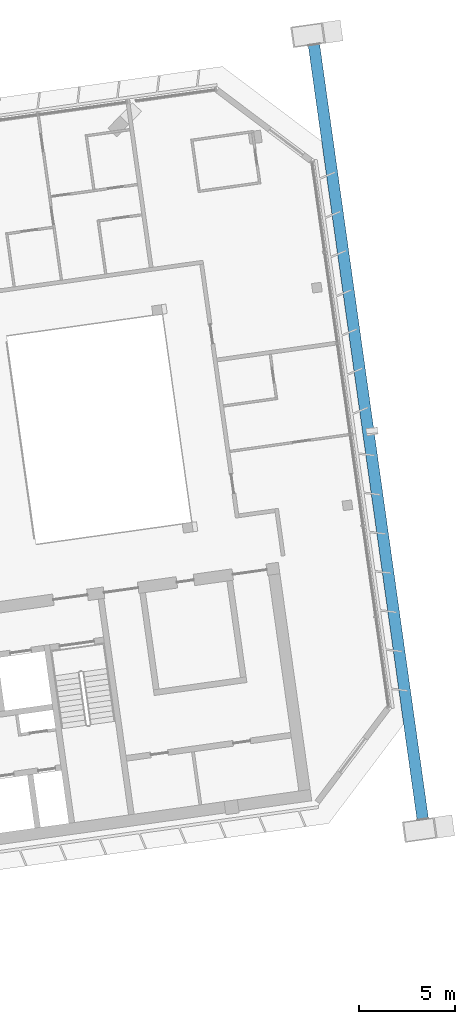
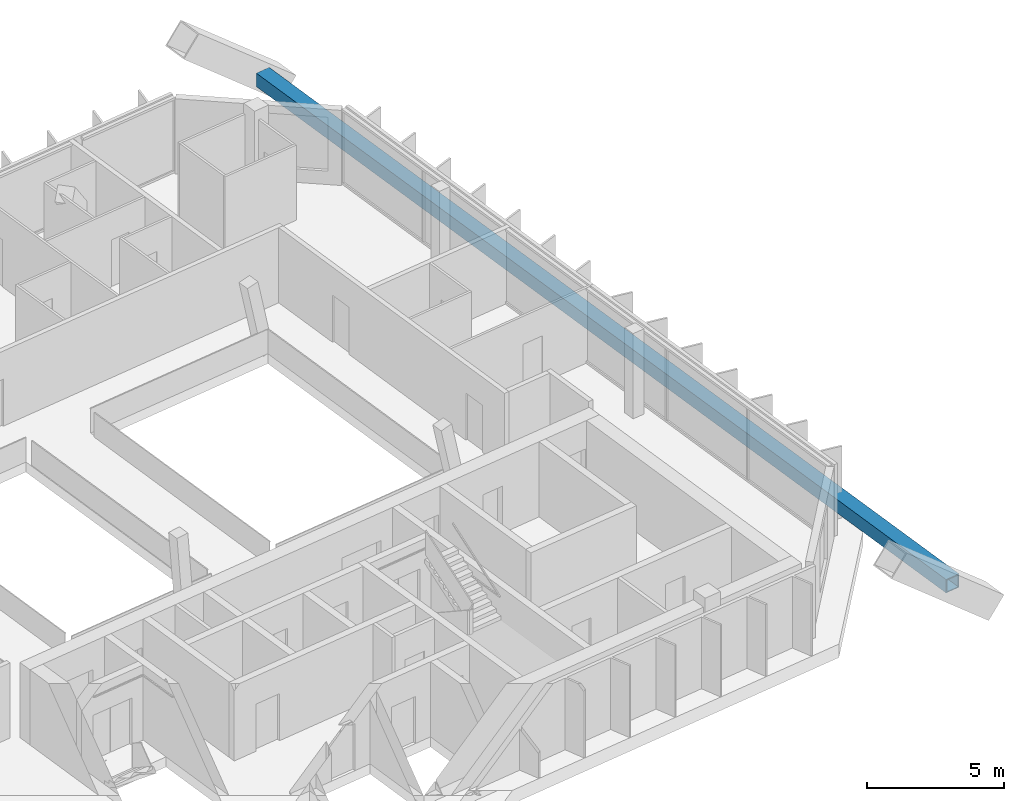
# One storey, part 11 of 25: 1 member.
"""IFC4 building model written with IfcOpenShell, lengths in metres."""

from ifc_helpers import new_model, si_unit, direction, frame, origin, origin_2d, place, context, subcontext, project, spatial, hollow_rectangle, extrude, material, material_profile, profile_set, type_object, element, save


model = new_model("IFC4")

# Units and contexts
model_context = context("Model", 3, precision=1e-05, world=origin(), true_north=direction((0.0, 1.0)))
body_context = subcontext(model_context, "Body", "Model", "MODEL_VIEW")
ifc_project = project(units=[si_unit("LENGTHUNIT", "METRE"), si_unit("AREAUNIT", "SQUARE_METRE"), si_unit("VOLUMEUNIT", "CUBIC_METRE"), si_unit("PLANEANGLEUNIT", "RADIAN"), si_unit("MASSUNIT", "GRAM", prefix="KILO")], contexts=[model_context])

# Site, building, storey
site_placement = place(None, origin())
site = spatial("IfcSite", under=ifc_project, at=site_placement, CompositionType="ELEMENT")
building_placement = place(site_placement, origin())
building = spatial("IfcBuilding", under=site, at=building_placement, Name="Mirante Cascada Hotel Towers", CompositionType="ELEMENT")
storey_placement = place(building_placement, frame((0.0, 0.0, 247.0)))
storey = spatial("IfcBuildingStorey", under=building, at=storey_placement, Name="L59", CompositionType="ELEMENT", Elevation=247.0)

# Member
ifc_material = material(Name="Steel ASTM A572 Gr 50", Category="steel")
ifc_material_profile = material_profile(ifc_material, hollow_rectangle(XDim=0.6, YDim=0.6, WallThickness=0.04, at=origin_2d()), Name="Box chord 600x600x40 ASTM A572 Gr 50")
ifc_profile_set = profile_set([ifc_material_profile], Name="Steel ASTM A572 Gr 50")
member_type = type_object("IfcMemberType", Name="Box chord 600x600x40 ASTM A572 Gr 50", PredefinedType="CHORD", material=ifc_profile_set)
member_placement = place(storey_placement, frame((69.3064, -17.147, 1.0), z_axis=(-0.1391743, 0.9902679, 0.0), x_axis=(-0.9902679, -0.1391743, 0.0)))
element("IfcMember", 1, at=member_placement, inside=storey, type_object=member_type, Name="exochord T2 L59 1", PredefinedType="CHORD", context=body_context, shape_type="SweptSolid", body=[
    extrude(hollow_rectangle(XDim=0.6, YDim=0.6, WallThickness=0.04, at=origin_2d()), origin(), (0.0, 0.0, 1.0), 40.94),
])

save(model, "model.ifc")
